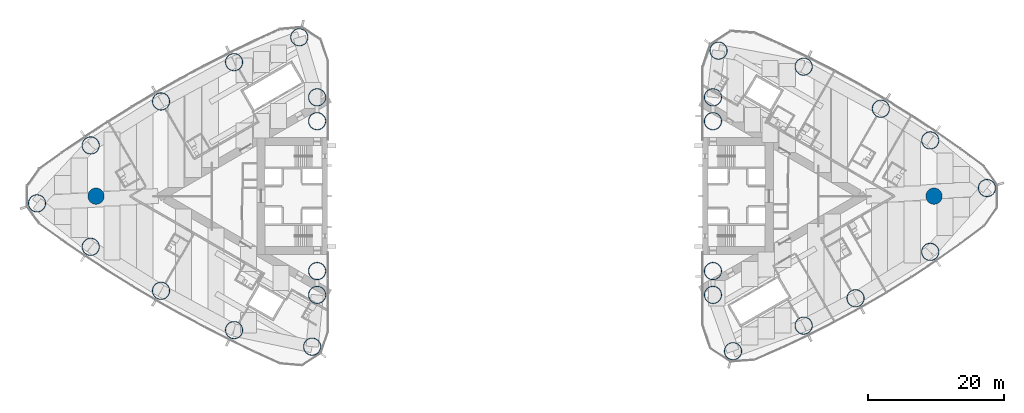
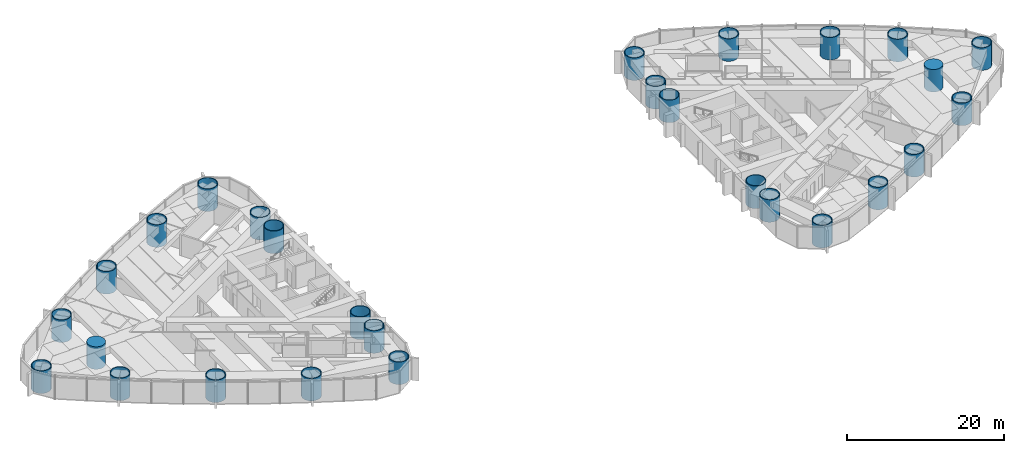
# One storey, part 1 of 18: 28 columns.
"""IFC4 building model written with IfcOpenShell, lengths in metres."""

from ifc_helpers import new_model, si_unit, direction, frame, origin, origin_2d, place, context, subcontext, project, spatial, circle, hollow_circle, extrude, material, material_profile, profile_set, type_object, element, save


model = new_model("IFC4")

# Units and contexts
model_context = context("Model", 3, precision=1e-05, world=origin(), true_north=direction((0.0, 1.0)))
body_context = subcontext(model_context, "Body", "Model", "MODEL_VIEW")
ifc_project = project(units=[si_unit("LENGTHUNIT", "METRE"), si_unit("AREAUNIT", "SQUARE_METRE"), si_unit("VOLUMEUNIT", "CUBIC_METRE"), si_unit("PLANEANGLEUNIT", "RADIAN"), si_unit("MASSUNIT", "GRAM", prefix="KILO")], contexts=[model_context])

# Site, building, storey
site_placement = place(None, origin())
site = spatial("IfcSite", under=ifc_project, at=site_placement, CompositionType="ELEMENT")
building_placement = place(site_placement, origin())
building = spatial("IfcBuilding", under=site, at=building_placement, Name="Lancet Gate Hotel", CompositionType="ELEMENT")
storey_placement = place(building_placement, frame((0.0, 0.0, 129.10009765625)))
storey = spatial("IfcBuildingStorey", under=building, at=storey_placement, Name="L34", CompositionType="ELEMENT", Elevation=129.10009765625)

# Columns
ifc_material_1 = material(Name="Concrete C80/95", Category="concrete")
ifc_material_profile_1 = material_profile(ifc_material_1, circle(Radius=1.199951171875, at=origin_2d()), Name="RC D2400")
ifc_profile_set_1 = profile_set([ifc_material_profile_1], Name="Concrete C80/95")
column_type_1 = type_object("IfcColumnType", Name="Apex column RC D2400", PredefinedType="COLUMN", material=ifc_profile_set_1)
for number, where, z_axis, x_axis, name in (
    (1, (-61.5, 0.0, 0.0), (0.0, 0.0, 1.0), (1.0, 0.0, 0.0), "T1 column AX L34"),
    (2, (61.5, 0.0, 0.0), (0.0, 0.0, 1.0), (1.0, 0.0, 0.0), "T2 column AX L34"),
):
    element("IfcColumn", number, at=place(storey_placement, frame(where, z_axis=z_axis, x_axis=x_axis)), inside=storey, type_object=column_type_1, Name=name, PredefinedType="COLUMN", context=body_context, shape_type="SweptSolid", body=[
        extrude(circle(Radius=1.199951171875, at=origin_2d()), origin(), (0.0, 0.0, 1.0), 3.5),
    ])
ifc_material_2 = material(Name="Composite filled tube, grade 460 plate, grade 80/95 fill", Category="composite")
ifc_material_profile_2 = material_profile(ifc_material_2, hollow_circle(Radius=1.300048828125, WallThickness=0.10009765625, at=origin_2d()), Name="CHS 2600x100")
ifc_profile_set_2 = profile_set([ifc_material_profile_2], Name="Composite filled tube, grade 460 plate, grade 80/95 fill")
column_type_2 = type_object("IfcColumnType", Name="Apex corner column CFT CHS 2600x100", PredefinedType="COLUMN", material=ifc_profile_set_2)
for number, where, z_axis, x_axis, name in (
    (3, (-70.16796875, -1.06005859375, 0.0), (0.0, 0.0, 1.0), (1.0, 0.0, 0.0), "T1 column CA L34"),
    (4, (69.268798828125, 1.1865234375, 0.0), (0.0, 0.0, 1.0), (1.0, 0.0, 0.0), "T2 column CA L34"),
):
    element("IfcColumn", number, at=place(storey_placement, frame(where, z_axis=z_axis, x_axis=x_axis)), inside=storey, type_object=column_type_2, Name=name, PredefinedType="COLUMN", context=body_context, shape_type="SweptSolid", body=[
        extrude(hollow_circle(Radius=1.300048828125, WallThickness=0.10009765625, at=origin_2d()), origin(), (0.0, 0.0, 1.0), 3.5),
    ])
ifc_material_3 = material(Name="Composite filled tube, grade 460 plate, grade 80/95 fill", Category="composite")
ifc_material_profile_3 = material_profile(ifc_material_3, hollow_circle(Radius=1.300048828125, WallThickness=0.10009765625, at=origin_2d()), Name="CHS 2600x100")
ifc_profile_set_3 = profile_set([ifc_material_profile_3], Name="Composite filled tube, grade 460 plate, grade 80/95 fill")
column_type_3 = type_object("IfcColumnType", Name="Perimeter column CFT CHS 2600x100", PredefinedType="COLUMN", material=ifc_profile_set_3)
for number, where, z_axis, x_axis, name in (
    (5, (-29.781005859375, -22.0947265625, 0.0), (0.0, 0.0, 1.0), (1.0, 0.0, 0.0), "T1 column CN L34"),
    (6, (-31.66455078125, 23.318359375, 0.0), (0.0, 0.0, 1.0), (1.0, 0.0, 0.0), "T1 column CS L34"),
    (7, (-29.050048828125, -11.0, 0.0), (0.0, 0.0, 1.0), (1.0, 0.0, 0.0), "T1 column IN L34"),
    (8, (-29.050048828125, 11.0, 0.0), (0.0, 0.0, 1.0), (1.0, 0.0, 0.0), "T1 column IS L34"),
    (9, (-29.050048828125, 14.5, 0.0), (0.0, 0.0, 1.0), (1.0, 0.0, 0.0), "T1 column IT L34"),
    (10, (-29.050048828125, -14.5, 0.0), (0.0, 0.0, 1.0), (1.0, 0.0, 0.0), "T1 column JT L34"),
    (11, (-62.28662109375, -7.444580078125, 0.0), (0.0, 0.0, 1.0), (1.0, 0.0, 0.0), "T1 column ON1 L34"),
    (12, (-51.963134765625, -13.89501953125, 0.0), (0.0, 0.0, 1.0), (1.0, 0.0, 0.0), "T1 column ON2 L34"),
    (13, (-41.244873046875, -19.665771484375, 0.0), (0.0, 0.0, 1.0), (1.0, 0.0, 0.0), "T1 column ON3 L34"),
    (14, (-41.244873046875, 19.665771484375, 0.0), (0.0, 0.0, 1.0), (1.0, 0.0, 0.0), "T1 column OS1 L34"),
    (15, (-51.963134765625, 13.89501953125, 0.0), (0.0, 0.0, 1.0), (1.0, 0.0, 0.0), "T1 column OS2 L34"),
    (16, (-62.28662109375, 7.444580078125, 0.0), (0.0, 0.0, 1.0), (1.0, 0.0, 0.0), "T1 column OS3 L34"),
    (17, (29.8720703125, 21.35498046875, 0.0), (0.0, 0.0, 1.0), (1.0, 0.0, 0.0), "T2 column CN L34"),
    (18, (31.99609375, -22.76318359375, 0.0), (0.0, 0.0, 1.0), (1.0, 0.0, 0.0), "T2 column CS L34"),
    (19, (29.050048828125, 11.0, 0.0), (0.0, 0.0, 1.0), (1.0, 0.0, 0.0), "T2 column IN L34"),
    (20, (29.050048828125, -11.0, 0.0), (0.0, 0.0, 1.0), (1.0, 0.0, 0.0), "T2 column IS L34"),
    (21, (29.050048828125, -14.5, 0.0), (0.0, 0.0, 1.0), (1.0, 0.0, 0.0), "T2 column IT L34"),
    (22, (29.050048828125, 14.5, 0.0), (0.0, 0.0, 1.0), (1.0, 0.0, 0.0), "T2 column JT L34"),
    (23, (60.940673828125, 8.18115234375, 0.0), (0.0, 0.0, 1.0), (1.0, 0.0, 0.0), "T2 column ON1 L34"),
    (24, (53.697021484375, 12.827392578125, 0.0), (0.0, 0.0, 1.0), (1.0, 0.0, 0.0), "T2 column ON2 L34"),
    (25, (42.3662109375, 19.007080078125, 0.0), (0.0, 0.0, 1.0), (1.0, 0.0, 0.0), "T2 column ON3 L34"),
    (26, (42.3662109375, -19.007080078125, 0.0), (0.0, 0.0, 1.0), (1.0, 0.0, 0.0), "T2 column OS1 L34"),
    (27, (49.97900390625, -14.994384765625, 0.0), (0.0, 0.0, 1.0), (1.0, 0.0, 0.0), "T2 column OS2 L34"),
    (28, (60.940673828125, -8.18115234375, 0.0), (0.0, 0.0, 1.0), (1.0, 0.0, 0.0), "T2 column OS3 L34"),
):
    element("IfcColumn", number, at=place(storey_placement, frame(where, z_axis=z_axis, x_axis=x_axis)), inside=storey, type_object=column_type_3, Name=name, PredefinedType="COLUMN", context=body_context, shape_type="SweptSolid", body=[
        extrude(hollow_circle(Radius=1.300048828125, WallThickness=0.10009765625, at=origin_2d()), origin(), (0.0, 0.0, 1.0), 3.5),
    ])

save(model, "model.ifc")
